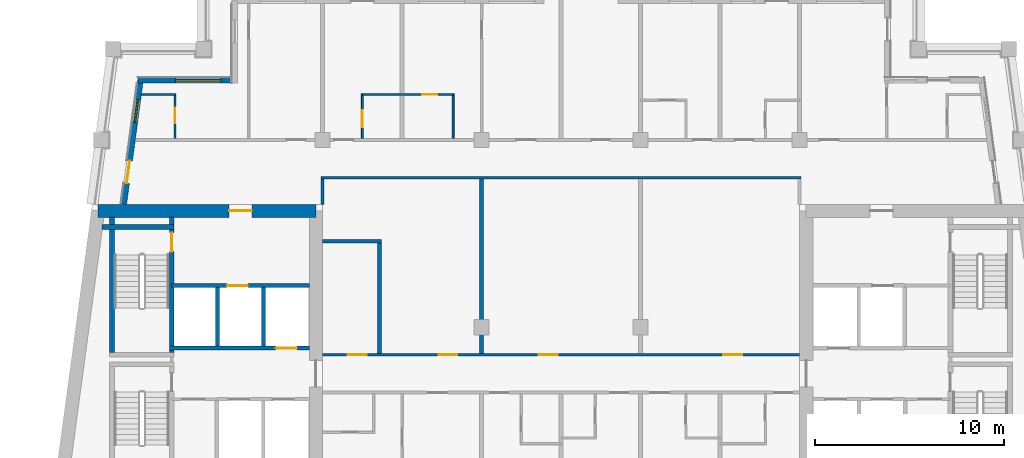
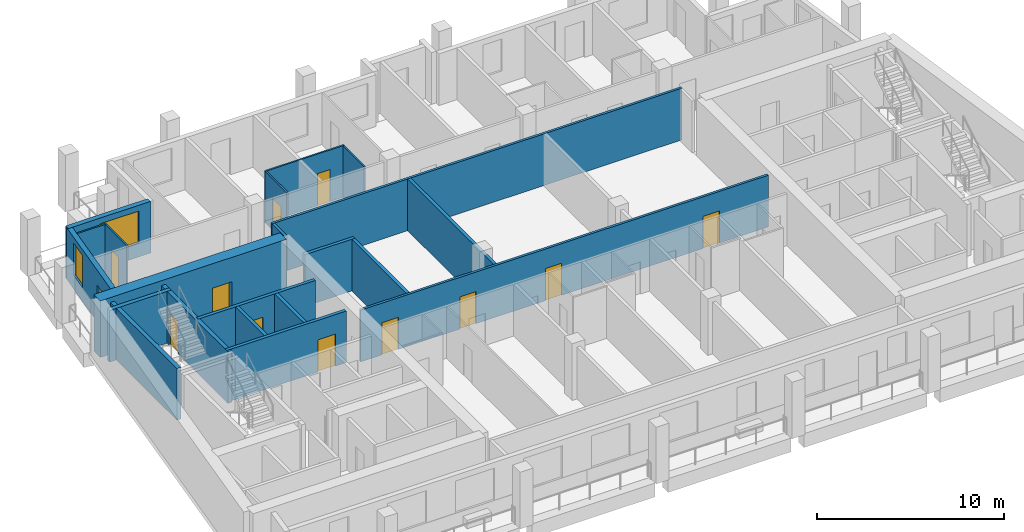
# One storey, part 4 of 13: 21 walls, 12 doors, 2 windows, 14 openings.
"""IFC4 building model written with IfcOpenShell, lengths in metres."""

from ifc_helpers import new_model, si_unit, direction, frame, frame_2d, origin, place, context, subcontext, project, spatial, rectangle, extrude, material, layer, layer_set, type_object, element, fill, save


model = new_model("IFC4")

# Units and contexts
model_context = context("Model", 3, precision=1e-05, world=origin(), true_north=direction((0.0, 1.0)))
body_context = subcontext(model_context, "Body", "Model", "MODEL_VIEW")
ifc_project = project(units=[si_unit("LENGTHUNIT", "METRE"), si_unit("AREAUNIT", "SQUARE_METRE"), si_unit("VOLUMEUNIT", "CUBIC_METRE"), si_unit("PLANEANGLEUNIT", "RADIAN"), si_unit("MASSUNIT", "GRAM", prefix="KILO")], contexts=[model_context])

# Site, building, storey
site_placement = place(None, origin())
site = spatial("IfcSite", under=ifc_project, at=site_placement, CompositionType="ELEMENT")
building_placement = place(site_placement, origin())
building = spatial("IfcBuilding", under=site, at=building_placement, Name="Candeia Pilgrim Tower and Theatre", CompositionType="ELEMENT")
storey_placement = place(building_placement, frame((0.0, 0.0, 270.10009765625)))
storey = spatial("IfcBuildingStorey", under=building, at=storey_placement, Name="L65", CompositionType="ELEMENT", Elevation=270.10009765625)

# Wall, opening, door
ifc_material_1 = material(Name="Concrete C40/50", Category="concrete")
ifc_layer_1 = layer(ifc_material_1, 0.699951171875)
ifc_layer_set_1 = layer_set([ifc_layer_1], Name="Core wall 700 C40/50")
wall_type_1 = type_object("IfcWallType", Name="Core wall 700 C40/50", PredefinedType="SHEAR", material=ifc_layer_set_1)
wall_1_placement = place(storey_placement, frame((88.936767578125, 132.050048828125, 0.0), z_axis=(0.0, 0.0, 1.0), x_axis=(1.0, 0.0, 0.0)))
wall_1 = element("IfcWall", 1, at=wall_1_placement, inside=storey, type_object=wall_type_1, Name="Core wall W1", PredefinedType="SHEAR", context=body_context, shape_type="SweptSolid", body=[
    extrude(rectangle(XDim=11.51318359375, YDim=0.699951171875, at=frame_2d((5.756591796875, 0.0))), origin(), (0.0, 0.0, 1.0), 3.699951171875),
])
opening_1_placement = place(wall_1_placement, frame((6.9267578125, 0.0, 0.0)))
opening_1 = element("IfcOpeningElement", 2, at=opening_1_placement, cuts=wall_1, Name="Opening L65-D050", PredefinedType="OPENING", context=body_context, shape_type="SweptSolid", body=[
    extrude(rectangle(XDim=1.199951171875, YDim=2.10009765625, at=frame_2d((0.60009765625, 1.050048828125))), frame((0.0, 0.35986328125, 0.0), z_axis=(0.0, -1.0, 0.0), x_axis=(1.0, 0.0, 0.0)), (0.0, 0.0, 1.0), 0.719970703125),
])
ifc_material_2 = material(Name="Steel fire door set", Category="steel")
door_type_1 = type_object("IfcDoorType", Name="D-1200-FD60", OperationType="NOTDEFINED", PredefinedType="DOOR", material=ifc_material_2)
door_1_placement = place(opening_1_placement, origin())
door_1 = element("IfcDoor", 3, at=door_1_placement, inside=storey, type_object=door_type_1, Name="Door L65-D050", OperationType="SINGLE_SWING_LEFT", OverallHeight=2.10009765625, OverallWidth=1.199951171875, PredefinedType="DOOR", context=body_context, shape_type="SweptSolid", body=[
    extrude(rectangle(XDim=1.199951171875, YDim=2.10009765625, at=frame_2d((0.60009765625, 1.050048828125))), frame((0.0, 0.02490234375, 0.0), z_axis=(0.0, -1.0, 0.0), x_axis=(1.0, 0.0, 0.0)), (0.0, 0.0, 1.0), 0.050048828125),
])
fill(opening_1, door_1)

# Wall, openings, door, window
ifc_material_3 = material(Name="Ceramic block masonry", Category="masonry")
ifc_layer_2 = layer(ifc_material_3, 0.300048828125)
ifc_layer_set_2 = layer_set([ifc_layer_2], Name="EW1 glazing-line wall 300")
wall_type_2 = type_object("IfcWallType", Name="EW1 glazing-line wall 300", PredefinedType="SOLIDWALL", material=ifc_layer_set_2)
wall_2_placement = place(storey_placement, frame((91.177490234375, 138.949951171875, 0.0), z_axis=(0.0, 0.0, 1.0), x_axis=(-0.133426664613, -0.991058689065, 0.0)))
wall_2 = element("IfcWall", 4, at=wall_2_placement, inside=storey, type_object=wall_type_2, Name="External wall L65-0.0", PredefinedType="SOLIDWALL", context=body_context, shape_type="SweptSolid", body=[
    extrude(rectangle(XDim=6.609130859375, YDim=0.300048828125, at=frame_2d((3.3046875, 0.0))), origin(), (0.0, 0.0, 1.0), 3.3798828125),
])
opening_2_placement = place(wall_2_placement, frame((1.039306640625, 0.0, 0.89990234375)))
opening_2 = element("IfcOpeningElement", 5, at=opening_2_placement, cuts=wall_2, Name="Opening W-B", PredefinedType="OPENING", context=body_context, shape_type="SweptSolid", body=[
    extrude(rectangle(XDim=1.199951171875, YDim=2.10009765625, at=frame_2d((0.60009765625, 1.050048828125))), frame((0.0, 0.16015625, 0.0), z_axis=(0.0, -1.0, 0.0), x_axis=(1.0, 0.0, 0.0)), (0.0, 0.0, 1.0), 0.320068359375),
])
opening_3_placement = place(wall_2_placement, frame((4.293701171875, 0.0, 0.0)))
opening_3 = element("IfcOpeningElement", 6, at=opening_3_placement, cuts=wall_2, Name="Opening L65-ED612", PredefinedType="OPENING", context=body_context, shape_type="SweptSolid", body=[
    extrude(rectangle(XDim=1.199951171875, YDim=2.39990234375, at=frame_2d((0.60009765625, 1.199951171875))), frame((0.0, 0.16015625, 0.0), z_axis=(0.0, -1.0, 0.0), x_axis=(1.0, 0.0, 0.0)), (0.0, 0.0, 1.0), 0.320068359375),
])
ifc_material_4 = material(Name="Aluminium framed glazed door", Category="aluminium")
door_type_2 = type_object("IfcDoorType", Name="Loggia door 1200x2400", OperationType="DOUBLE_DOOR_SINGLE_SWING", PredefinedType="DOOR", material=ifc_material_4)
door_2_placement = place(opening_3_placement, origin())
door_2 = element("IfcDoor", 7, at=door_2_placement, inside=storey, type_object=door_type_2, Name="Loggia door L65-ED612", OperationType="DOUBLE_DOOR_SINGLE_SWING", OverallHeight=2.39990234375, OverallWidth=1.199951171875, PredefinedType="DOOR", context=body_context, shape_type="SweptSolid", body=[
    extrude(rectangle(XDim=1.199951171875, YDim=2.39990234375, at=frame_2d((0.60009765625, 1.199951171875))), frame((0.0, 0.02490234375, 0.0), z_axis=(0.0, -1.0, 0.0), x_axis=(1.0, 0.0, 0.0)), (0.0, 0.0, 1.0), 0.050048828125),
])
fill(opening_3, door_2)
ifc_material_5 = material(Name="Aluminium framed double glazing", Category="aluminium")
window_type_1 = type_object("IfcWindowType", Name="W-B window 1200x2100", PartitioningType="SINGLE_PANEL", PredefinedType="WINDOW", material=ifc_material_5)
window_1_placement = place(opening_2_placement, origin())
window_1 = element("IfcWindow", 8, at=window_1_placement, inside=storey, type_object=window_type_1, Name="Window W-B L65", OverallHeight=2.10009765625, OverallWidth=1.199951171875, PartitioningType="SINGLE_PANEL", PredefinedType="WINDOW", context=body_context, shape_type="SweptSolid", body=[
    extrude(rectangle(XDim=1.199951171875, YDim=2.10009765625, at=frame_2d((0.60009765625, 1.050048828125))), frame((0.0, 0.030029296875, 0.0), z_axis=(0.0, -1.0, 0.0), x_axis=(1.0, 0.0, 0.0)), (0.0, 0.0, 1.0), 0.06005859375),
])
fill(opening_2, window_1)

# Wall, opening, window
wall_3_placement = place(storey_placement, frame((96.14990234375, 138.949951171875, 0.0), z_axis=(0.0, 0.0, 1.0), x_axis=(-1.0, 0.0, 0.0)))
wall_3 = element("IfcWall", 9, at=wall_3_placement, inside=storey, type_object=wall_type_2, Name="External wall L65-7.0", PredefinedType="SOLIDWALL", context=body_context, shape_type="SweptSolid", body=[
    extrude(rectangle(XDim=5.103759765625, YDim=0.300048828125, at=frame_2d((2.5517578125, 0.0))), origin(), (0.0, 0.0, 1.0), 3.3798828125),
])
opening_4_placement = place(wall_3_placement, frame((0.72509765625, 0.0, 0.89990234375)))
opening_4 = element("IfcOpeningElement", 10, at=opening_4_placement, cuts=wall_3, Name="Opening W-A", PredefinedType="OPENING", context=body_context, shape_type="SweptSolid", body=[
    extrude(rectangle(XDim=2.39990234375, YDim=2.10009765625, at=frame_2d((1.199951171875, 1.050048828125))), frame((0.0, 0.16015625, 0.0), z_axis=(0.0, -1.0, 0.0), x_axis=(1.0, 0.0, 0.0)), (0.0, 0.0, 1.0), 0.320068359375),
])
window_type_2 = type_object("IfcWindowType", Name="W-A window 2400x2100", PartitioningType="DOUBLE_PANEL_VERTICAL", PredefinedType="WINDOW", material=ifc_material_5)
window_2_placement = place(opening_4_placement, origin())
window_2 = element("IfcWindow", 11, at=window_2_placement, inside=storey, type_object=window_type_2, Name="Window W-A L65", OverallHeight=2.10009765625, OverallWidth=2.39990234375, PartitioningType="SINGLE_PANEL", PredefinedType="WINDOW", context=body_context, shape_type="SweptSolid", body=[
    extrude(rectangle(XDim=2.39990234375, YDim=2.10009765625, at=frame_2d((1.199951171875, 1.050048828125))), frame((0.0, 0.030029296875, 0.0), z_axis=(0.0, -1.0, 0.0), x_axis=(1.0, 0.0, 0.0)), (0.0, 0.0, 1.0), 0.06005859375),
])
fill(opening_4, window_2)

# Wall
ifc_material_6 = material(Name="Gypsum board partition on steel studs", Category="steel")
ifc_layer_3 = layer(ifc_material_6, 0.10009765625)
ifc_layer_set_3 = layer_set([ifc_layer_3], Name="PW-100 room partition")
wall_type_3 = type_object("IfcWallType", Name="PW-100 room partition", PredefinedType="PARTITIONING", material=ifc_layer_set_3)
wall_4_placement = place(storey_placement, frame((91.2177734375, 138.199951171875, 0.0), z_axis=(0.0, 0.0, 1.0), x_axis=(1.0, 0.0, 0.0)))
element("IfcWall", 12, at=wall_4_placement, inside=storey, type_object=wall_type_3, Name="Room partition L65-042", PredefinedType="PARTITIONING", context=body_context, shape_type="SweptSolid", body=[
    extrude(rectangle(XDim=1.832275390625, YDim=0.10009765625, at=frame_2d((0.916015625, 0.0))), origin(), (0.0, 0.0, 1.0), 3.3798828125),
])

# Wall, opening, door
wall_5_placement = place(storey_placement, frame((102.85009765625, 138.199951171875, 0.0), z_axis=(0.0, 0.0, 1.0), x_axis=(1.0, 0.0, 0.0)))
wall_5 = element("IfcWall", 13, at=wall_5_placement, inside=storey, type_object=wall_type_3, Name="Room partition L65-043", PredefinedType="PARTITIONING", context=body_context, shape_type="SweptSolid", body=[
    extrude(rectangle(XDim=4.89990234375, YDim=0.10009765625, at=frame_2d((2.449951171875, 0.0))), origin(), (0.0, 0.0, 1.0), 3.3798828125),
])
opening_5_placement = place(wall_5_placement, frame((3.219970703125, 0.0, 0.0)))
opening_5 = element("IfcOpeningElement", 14, at=opening_5_placement, cuts=wall_5, Name="Opening L65-D035", PredefinedType="OPENING", context=body_context, shape_type="SweptSolid", body=[
    extrude(rectangle(XDim=0.800048828125, YDim=2.10009765625, at=frame_2d((0.39990234375, 1.050048828125))), frame((0.0, 0.06005859375, 0.0), z_axis=(0.0, -1.0, 0.0), x_axis=(1.0, 0.0, 0.0)), (0.0, 0.0, 1.0), 0.1201171875),
])
ifc_material_7 = material(Name="Timber door leaf", Category="wood")
door_type_3 = type_object("IfcDoorType", Name="D-800", OperationType="NOTDEFINED", PredefinedType="DOOR", material=ifc_material_7)
door_3_placement = place(opening_5_placement, origin())
door_3 = element("IfcDoor", 15, at=door_3_placement, inside=storey, type_object=door_type_3, Name="Door L65-D035", OperationType="SINGLE_SWING_RIGHT", OverallHeight=2.10009765625, OverallWidth=0.800048828125, PredefinedType="DOOR", context=body_context, shape_type="SweptSolid", body=[
    extrude(rectangle(XDim=0.800048828125, YDim=2.10009765625, at=frame_2d((0.39990234375, 1.050048828125))), frame((0.0, 0.02490234375, 0.0), z_axis=(0.0, -1.0, 0.0), x_axis=(1.0, 0.0, 0.0)), (0.0, 0.0, 1.0), 0.050048828125),
])
fill(opening_5, door_3)

wall_6_placement = place(storey_placement, frame((93.0, 135.875, 0.0), z_axis=(0.0, 0.0, 1.0), x_axis=(0.0, 1.0, 0.0)))
wall_6 = element("IfcWall", 16, at=wall_6_placement, inside=storey, type_object=wall_type_3, Name="Room partition L65-054", PredefinedType="PARTITIONING", context=body_context, shape_type="SweptSolid", body=[
    extrude(rectangle(XDim=2.27490234375, YDim=0.10009765625, at=frame_2d((1.137451171875, 0.0))), origin(), (0.0, 0.0, 1.0), 3.3798828125),
])
opening_6_placement = place(wall_6_placement, frame((0.81494140625, 0.0, 0.0)))
opening_6 = element("IfcOpeningElement", 17, at=opening_6_placement, cuts=wall_6, Name="Opening L65-D030", PredefinedType="OPENING", context=body_context, shape_type="SweptSolid", body=[
    extrude(rectangle(XDim=0.800048828125, YDim=2.10009765625, at=frame_2d((0.39990234375, 1.050048828125))), frame((0.0, 0.06005859375, 0.0), z_axis=(0.0, -1.0, 0.0), x_axis=(1.0, 0.0, 0.0)), (0.0, 0.0, 1.0), 0.1201171875),
])
door_4_placement = place(opening_6_placement, origin())
door_4 = element("IfcDoor", 18, at=door_4_placement, inside=storey, type_object=door_type_3, Name="Door L65-D030", OperationType="SINGLE_SWING_LEFT", OverallHeight=2.10009765625, OverallWidth=0.800048828125, PredefinedType="DOOR", context=body_context, shape_type="SweptSolid", body=[
    extrude(rectangle(XDim=0.800048828125, YDim=2.10009765625, at=frame_2d((0.39990234375, 1.050048828125))), frame((0.0, 0.02490234375, 0.0), z_axis=(0.0, -1.0, 0.0), x_axis=(1.0, 0.0, 0.0)), (0.0, 0.0, 1.0), 0.050048828125),
])
fill(opening_6, door_4)

wall_7_placement = place(storey_placement, frame((102.89990234375, 135.875, 0.0), z_axis=(0.0, 0.0, 1.0), x_axis=(0.0, 1.0, 0.0)))
wall_7 = element("IfcWall", 19, at=wall_7_placement, inside=storey, type_object=wall_type_3, Name="Room partition L65-065", PredefinedType="PARTITIONING", context=body_context, shape_type="SweptSolid", body=[
    extrude(rectangle(XDim=2.27490234375, YDim=0.10009765625, at=frame_2d((1.137451171875, 0.0))), origin(), (0.0, 0.0, 1.0), 3.3798828125),
])
opening_7_placement = place(wall_7_placement, frame((0.594970703125, 0.0, 0.0)))
opening_7 = element("IfcOpeningElement", 20, at=opening_7_placement, cuts=wall_7, Name="Opening L65-D032", PredefinedType="OPENING", context=body_context, shape_type="SweptSolid", body=[
    extrude(rectangle(XDim=0.89990234375, YDim=2.10009765625, at=frame_2d((0.449951171875, 1.050048828125))), frame((0.0, 0.06005859375, 0.0), z_axis=(0.0, -1.0, 0.0), x_axis=(1.0, 0.0, 0.0)), (0.0, 0.0, 1.0), 0.1201171875),
])
door_type_4 = type_object("IfcDoorType", Name="D-900", OperationType="NOTDEFINED", PredefinedType="DOOR", material=ifc_material_7)
door_5_placement = place(opening_7_placement, origin())
door_5 = element("IfcDoor", 21, at=door_5_placement, inside=storey, type_object=door_type_4, Name="Door L65-D032", OperationType="SINGLE_SWING_LEFT", OverallHeight=2.10009765625, OverallWidth=0.89990234375, PredefinedType="DOOR", context=body_context, shape_type="SweptSolid", body=[
    extrude(rectangle(XDim=0.89990234375, YDim=2.10009765625, at=frame_2d((0.449951171875, 1.050048828125))), frame((0.0, 0.02490234375, 0.0), z_axis=(0.0, -1.0, 0.0), x_axis=(1.0, 0.0, 0.0)), (0.0, 0.0, 1.0), 0.050048828125),
])
fill(opening_7, door_5)

# Wall
wall_8_placement = place(storey_placement, frame((107.699951171875, 135.875, 0.0), z_axis=(0.0, 0.0, 1.0), x_axis=(0.0, 1.0, 0.0)))
element("IfcWall", 22, at=wall_8_placement, inside=storey, type_object=wall_type_3, Name="Room partition L65-070", PredefinedType="PARTITIONING", context=body_context, shape_type="SweptSolid", body=[
    extrude(rectangle(XDim=2.27490234375, YDim=0.10009765625, at=frame_2d((1.137451171875, 0.0))), origin(), (0.0, 0.0, 1.0), 3.3798828125),
])

# Wall, openings, doors
ifc_layer_4 = layer(ifc_material_6, 0.14990234375)
ifc_layer_set_4 = layer_set([ifc_layer_4], Name="PW-150 unit wall")
wall_type_4 = type_object("IfcWallType", Name="PW-150 unit wall", PredefinedType="PARTITIONING", material=ifc_layer_set_4)
wall_9_placement = place(storey_placement, frame((100.800048828125, 124.449951171875, 0.0), z_axis=(0.0, 0.0, 1.0), x_axis=(1.0, 0.0, 0.0)))
wall_9 = element("IfcWall", 23, at=wall_9_placement, inside=storey, type_object=wall_type_4, Name="Unit wall L65-028", PredefinedType="PARTITIONING", context=body_context, shape_type="SweptSolid", body=[
    extrude(rectangle(XDim=25.199951171875, YDim=0.14990234375, at=frame_2d((12.60009765625, 0.0))), origin(), (0.0, 0.0, 1.0), 3.3798828125),
])
opening_8_placement = place(wall_9_placement, frame((6.125, 0.0, 0.0)))
opening_8 = element("IfcOpeningElement", 24, at=opening_8_placement, cuts=wall_9, Name="Opening L65-D044", PredefinedType="OPENING", context=body_context, shape_type="SweptSolid", body=[
    extrude(rectangle(XDim=1.0, YDim=2.10009765625, at=frame_2d((0.5, 1.050048828125))), frame((0.0, 0.0849609375, 0.0), z_axis=(0.0, -1.0, 0.0), x_axis=(1.0, 0.0, 0.0)), (0.0, 0.0, 1.0), 0.169921875),
])
opening_9_placement = place(wall_9_placement, frame((1.324951171875, 0.0, 0.0)))
opening_9 = element("IfcOpeningElement", 25, at=opening_9_placement, cuts=wall_9, Name="Opening L65-D045", PredefinedType="OPENING", context=body_context, shape_type="SweptSolid", body=[
    extrude(rectangle(XDim=1.0, YDim=2.10009765625, at=frame_2d((0.5, 1.050048828125))), frame((0.0, 0.0849609375, 0.0), z_axis=(0.0, -1.0, 0.0), x_axis=(1.0, 0.0, 0.0)), (0.0, 0.0, 1.0), 0.169921875),
])
opening_10_placement = place(wall_9_placement, frame((11.429931640625, 0.0, 0.0)))
opening_10 = element("IfcOpeningElement", 26, at=opening_10_placement, cuts=wall_9, Name="Opening L65-D046", PredefinedType="OPENING", context=body_context, shape_type="SweptSolid", body=[
    extrude(rectangle(XDim=1.0, YDim=2.10009765625, at=frame_2d((0.5, 1.050048828125))), frame((0.0, 0.0849609375, 0.0), z_axis=(0.0, -1.0, 0.0), x_axis=(1.0, 0.0, 0.0)), (0.0, 0.0, 1.0), 0.169921875),
])
opening_11_placement = place(wall_9_placement, frame((21.169921875, 0.0, 0.0)))
opening_11 = element("IfcOpeningElement", 27, at=opening_11_placement, cuts=wall_9, Name="Opening L65-D047", PredefinedType="OPENING", context=body_context, shape_type="SweptSolid", body=[
    extrude(rectangle(XDim=1.0, YDim=2.10009765625, at=frame_2d((0.5, 1.050048828125))), frame((0.0, 0.0849609375, 0.0), z_axis=(0.0, -1.0, 0.0), x_axis=(1.0, 0.0, 0.0)), (0.0, 0.0, 1.0), 0.169921875),
])
door_type_5 = type_object("IfcDoorType", Name="D-1000-FD30S", OperationType="NOTDEFINED", PredefinedType="DOOR", material=ifc_material_2)
door_6_placement = place(opening_8_placement, origin())
door_6 = element("IfcDoor", 28, at=door_6_placement, inside=storey, type_object=door_type_5, Name="Door L65-D044", OperationType="SINGLE_SWING_LEFT", OverallHeight=2.10009765625, OverallWidth=1.0, PredefinedType="DOOR", context=body_context, shape_type="SweptSolid", body=[
    extrude(rectangle(XDim=1.0, YDim=2.10009765625, at=frame_2d((0.5, 1.050048828125))), frame((0.0, 0.02490234375, 0.0), z_axis=(0.0, -1.0, 0.0), x_axis=(1.0, 0.0, 0.0)), (0.0, 0.0, 1.0), 0.050048828125),
])
fill(opening_8, door_6)
door_7_placement = place(opening_9_placement, origin())
door_7 = element("IfcDoor", 29, at=door_7_placement, inside=storey, type_object=door_type_5, Name="Door L65-D045", OperationType="SINGLE_SWING_RIGHT", OverallHeight=2.10009765625, OverallWidth=1.0, PredefinedType="DOOR", context=body_context, shape_type="SweptSolid", body=[
    extrude(rectangle(XDim=1.0, YDim=2.10009765625, at=frame_2d((0.5, 1.050048828125))), frame((0.0, 0.02490234375, 0.0), z_axis=(0.0, -1.0, 0.0), x_axis=(1.0, 0.0, 0.0)), (0.0, 0.0, 1.0), 0.050048828125),
])
fill(opening_9, door_7)
door_8_placement = place(opening_10_placement, origin())
door_8 = element("IfcDoor", 30, at=door_8_placement, inside=storey, type_object=door_type_5, Name="Door L65-D046", OperationType="SINGLE_SWING_LEFT", OverallHeight=2.10009765625, OverallWidth=1.0, PredefinedType="DOOR", context=body_context, shape_type="SweptSolid", body=[
    extrude(rectangle(XDim=1.0, YDim=2.10009765625, at=frame_2d((0.5, 1.050048828125))), frame((0.0, 0.02490234375, 0.0), z_axis=(0.0, -1.0, 0.0), x_axis=(1.0, 0.0, 0.0)), (0.0, 0.0, 1.0), 0.050048828125),
])
fill(opening_10, door_8)
door_9_placement = place(opening_11_placement, origin())
door_9 = element("IfcDoor", 31, at=door_9_placement, inside=storey, type_object=door_type_5, Name="Door L65-D047", OperationType="SINGLE_SWING_RIGHT", OverallHeight=2.10009765625, OverallWidth=1.0, PredefinedType="DOOR", context=body_context, shape_type="SweptSolid", body=[
    extrude(rectangle(XDim=1.0, YDim=2.10009765625, at=frame_2d((0.5, 1.050048828125))), frame((0.0, 0.02490234375, 0.0), z_axis=(0.0, -1.0, 0.0), x_axis=(1.0, 0.0, 0.0)), (0.0, 0.0, 1.0), 0.050048828125),
])
fill(opening_11, door_9)

# Walls
wall_10_placement = place(storey_placement, frame((100.72509765625, 133.800048828125, 0.0), z_axis=(0.0, 0.0, 1.0), x_axis=(1.0, 0.0, 0.0)))
element("IfcWall", 32, at=wall_10_placement, inside=storey, type_object=wall_type_4, Name="Unit wall L65-038", PredefinedType="PARTITIONING", context=body_context, shape_type="SweptSolid", body=[
    extrude(rectangle(XDim=25.349853515625, YDim=0.14990234375, at=frame_2d((12.6748046875, 0.0))), origin(), (0.0, 0.0, 1.0), 3.3798828125),
])
wall_11_placement = place(storey_placement, frame((100.800048828125, 132.39990234375, 0.0), z_axis=(0.0, 0.0, 1.0), x_axis=(0.0, 1.0, 0.0)))
element("IfcWall", 33, at=wall_11_placement, inside=storey, type_object=wall_type_4, Name="Unit wall L65-064", PredefinedType="PARTITIONING", context=body_context, shape_type="SweptSolid", body=[
    extrude(rectangle(XDim=1.3251953125, YDim=0.14990234375, at=frame_2d((0.66259765625, 0.0))), origin(), (0.0, 0.0, 1.0), 3.3798828125),
])
ifc_layer_5 = layer(ifc_material_6, 0.199951171875)
ifc_layer_set_5 = layer_set([ifc_layer_5], Name="PW-200 party wall")
wall_type_5 = type_object("IfcWallType", Name="PW-200 party wall", PredefinedType="PARTITIONING", material=ifc_layer_set_5)
wall_12_placement = place(storey_placement, frame((100.800048828125, 130.449951171875, 0.0), z_axis=(0.0, 0.0, 1.0), x_axis=(1.0, 0.0, 0.0)))
element("IfcWall", 34, at=wall_12_placement, inside=storey, type_object=wall_type_5, Name="Party wall L65-035", PredefinedType="PARTITIONING", context=body_context, shape_type="SweptSolid", body=[
    extrude(rectangle(XDim=3.099853515625, YDim=0.199951171875, at=frame_2d((1.5498046875, 0.0))), origin(), (0.0, 0.0, 1.0), 3.3798828125),
])
wall_13_placement = place(storey_placement, frame((103.800048828125, 124.52490234375, 0.0), z_axis=(0.0, 0.0, 1.0), x_axis=(0.0, 1.0, 0.0)))
element("IfcWall", 35, at=wall_13_placement, inside=storey, type_object=wall_type_5, Name="Party wall L65-067", PredefinedType="PARTITIONING", context=body_context, shape_type="SweptSolid", body=[
    extrude(rectangle(XDim=5.8251953125, YDim=0.199951171875, at=frame_2d((2.91259765625, 0.0))), origin(), (0.0, 0.0, 1.0), 3.3798828125),
])
wall_14_placement = place(storey_placement, frame((109.199951171875, 124.52490234375, 0.0), z_axis=(0.0, 0.0, 1.0), x_axis=(0.0, 1.0, 0.0)))
element("IfcWall", 36, at=wall_14_placement, inside=storey, type_object=wall_type_5, Name="Party wall L65-073", PredefinedType="PARTITIONING", context=body_context, shape_type="SweptSolid", body=[
    extrude(rectangle(XDim=9.2001953125, YDim=0.199951171875, at=frame_2d((4.60009765625, 0.0))), origin(), (0.0, 0.0, 1.0), 3.3798828125),
])

# Wall, opening, door
ifc_layer_6 = layer(ifc_material_1, 0.199951171875)
ifc_layer_set_6 = layer_set([ifc_layer_6], Name="SW-200 shaft wall")
wall_type_6 = type_object("IfcWallType", Name="SW-200 shaft wall", PredefinedType="PARTITIONING", material=ifc_layer_set_6)
wall_15_placement = place(storey_placement, frame((92.701904296875, 124.800048828125, 0.0), z_axis=(0.0, 0.0, 1.0), x_axis=(1.0, 0.0, 0.0)))
wall_15 = element("IfcWall", 37, at=wall_15_placement, inside=storey, type_object=wall_type_6, Name="Shaft wall L65-029", PredefinedType="PARTITIONING", context=body_context, shape_type="SweptSolid", body=[
    extrude(rectangle(XDim=7.398193359375, YDim=0.199951171875, at=frame_2d((3.69921875, 0.0))), origin(), (0.0, 0.0, 1.0), 3.3798828125),
])
opening_12_placement = place(wall_15_placement, frame((5.635986328125, 0.0, 0.0)))
opening_12 = element("IfcOpeningElement", 38, at=opening_12_placement, cuts=wall_15, Name="Opening L65-LD04", PredefinedType="OPENING", context=body_context, shape_type="SweptSolid", body=[
    extrude(rectangle(XDim=1.10009765625, YDim=2.10009765625, at=frame_2d((0.550048828125, 1.050048828125))), frame((0.0, 0.10986328125, 0.0), z_axis=(0.0, -1.0, 0.0), x_axis=(1.0, 0.0, 0.0)), (0.0, 0.0, 1.0), 0.219970703125),
])
ifc_material_8 = material(Name="Glazed aluminium landing door", Category="aluminium")
door_type_6 = type_object("IfcDoorType", Name="LD-1100-EI120", OperationType="SLIDING_TO_LEFT", PredefinedType="DOOR", material=ifc_material_8)
door_10_placement = place(opening_12_placement, origin())
door_10 = element("IfcDoor", 39, at=door_10_placement, inside=storey, type_object=door_type_6, Name="Landing door 04 L65", OperationType="SLIDING_TO_LEFT", OverallHeight=2.10009765625, OverallWidth=1.10009765625, PredefinedType="DOOR", context=body_context, shape_type="SweptSolid", body=[
    extrude(rectangle(XDim=1.10009765625, YDim=2.10009765625, at=frame_2d((0.550048828125, 1.050048828125))), frame((0.0, 0.02490234375, 0.0), z_axis=(0.0, -1.0, 0.0), x_axis=(1.0, 0.0, 0.0)), (0.0, 0.0, 1.0), 0.050048828125),
])
fill(opening_12, door_10)

wall_16_placement = place(storey_placement, frame((92.826904296875, 128.10009765625, 0.0), z_axis=(0.0, 0.0, 1.0), x_axis=(1.0, 0.0, 0.0)))
wall_16 = element("IfcWall", 40, at=wall_16_placement, inside=storey, type_object=wall_type_6, Name="Shaft wall L65-032", PredefinedType="PARTITIONING", context=body_context, shape_type="SweptSolid", body=[
    extrude(rectangle(XDim=7.273193359375, YDim=0.199951171875, at=frame_2d((3.63671875, 0.0))), origin(), (0.0, 0.0, 1.0), 3.3798828125),
])
opening_13_placement = place(wall_16_placement, frame((2.929931640625, 0.0, 0.0)))
opening_13 = element("IfcOpeningElement", 41, at=opening_13_placement, cuts=wall_16, Name="Opening L65-LD03", PredefinedType="OPENING", context=body_context, shape_type="SweptSolid", body=[
    extrude(rectangle(XDim=1.10009765625, YDim=2.10009765625, at=frame_2d((0.550048828125, 1.050048828125))), frame((0.0, 0.10986328125, 0.0), z_axis=(0.0, -1.0, 0.0), x_axis=(1.0, 0.0, 0.0)), (0.0, 0.0, 1.0), 0.219970703125),
])
door_11_placement = place(opening_13_placement, origin())
door_11 = element("IfcDoor", 42, at=door_11_placement, inside=storey, type_object=door_type_6, Name="Landing door 03 L65", OperationType="SLIDING_TO_LEFT", OverallHeight=2.10009765625, OverallWidth=1.10009765625, PredefinedType="DOOR", context=body_context, shape_type="SweptSolid", body=[
    extrude(rectangle(XDim=1.10009765625, YDim=2.10009765625, at=frame_2d((0.550048828125, 1.050048828125))), frame((0.0, 0.02490234375, 0.0), z_axis=(0.0, -1.0, 0.0), x_axis=(1.0, 0.0, 0.0)), (0.0, 0.0, 1.0), 0.050048828125),
])
fill(opening_13, door_11)

# Walls
for number, where, z_axis, x_axis, name in (
    (43, (95.251220703125, 124.89990234375, 0.0), (0.0, 0.0, 1.0), (0.0, 1.0, 0.0), "Shaft wall L65-057"),
    (44, (97.67578125, 124.89990234375, 0.0), (0.0, 0.0, 1.0), (0.0, 1.0, 0.0), "Shaft wall L65-061"),
):
    element("IfcWall", number, at=place(storey_placement, frame(where, z_axis=z_axis, x_axis=x_axis)), inside=storey, type_object=wall_type_6, Name=name, PredefinedType="PARTITIONING", context=body_context, shape_type="SweptSolid", body=[
        extrude(rectangle(XDim=3.10009765625, YDim=0.199951171875, at=frame_2d((1.550048828125, 0.0))), origin(), (0.0, 0.0, 1.0), 3.3798828125),
    ])
ifc_layer_7 = layer(ifc_material_1, 0.25)
ifc_layer_set_7 = layer_set([ifc_layer_7], Name="SW-250 stair wall")
wall_type_7 = type_object("IfcWallType", Name="SW-250 stair wall", PredefinedType="PARTITIONING", material=ifc_layer_set_7)
wall_17_placement = place(storey_placement, frame((89.1455078125, 131.199951171875, 0.0), z_axis=(0.0, 0.0, 1.0), x_axis=(1.0, 0.0, 0.0)))
element("IfcWall", 45, at=wall_17_placement, inside=storey, type_object=wall_type_7, Name="Stair wall L65-036", PredefinedType="PARTITIONING", context=body_context, shape_type="SweptSolid", body=[
    extrude(rectangle(XDim=3.806396484375, YDim=0.25, at=frame_2d((1.9033203125, 0.0))), origin(), (0.0, 0.0, 1.0), 3.3798828125),
])
wall_18_placement = place(storey_placement, frame((89.677001953125, 124.574951171875, 0.0), z_axis=(0.0, 0.0, 1.0), x_axis=(0.0, 1.0, 0.0)))
element("IfcWall", 46, at=wall_18_placement, inside=storey, type_object=wall_type_7, Name="Stair wall L65-048", PredefinedType="PARTITIONING", context=body_context, shape_type="SweptSolid", body=[
    extrude(rectangle(XDim=7.155029296875, YDim=0.25, at=frame_2d((3.57763671875, 0.0))), origin(), (0.0, 0.0, 1.0), 3.3798828125),
])

# Wall, opening, door
wall_19_placement = place(storey_placement, frame((92.826904296875, 124.574951171875, 0.0), z_axis=(0.0, 0.0, 1.0), x_axis=(0.0, 1.0, 0.0)))
wall_19 = element("IfcWall", 47, at=wall_19_placement, inside=storey, type_object=wall_type_7, Name="Stair wall L65-053", PredefinedType="PARTITIONING", context=body_context, shape_type="SweptSolid", body=[
    extrude(rectangle(XDim=7.155029296875, YDim=0.25, at=frame_2d((3.57763671875, 0.0))), origin(), (0.0, 0.0, 1.0), 3.3798828125),
])
opening_14_placement = place(wall_19_placement, frame((5.324951171875, 0.0, 0.0)))
opening_14 = element("IfcOpeningElement", 48, at=opening_14_placement, cuts=wall_19, Name="Opening L65-D003", PredefinedType="OPENING", context=body_context, shape_type="SweptSolid", body=[
    extrude(rectangle(XDim=1.0, YDim=2.10009765625, at=frame_2d((0.5, 1.050048828125))), frame((0.0, 0.135009765625, 0.0), z_axis=(0.0, -1.0, 0.0), x_axis=(1.0, 0.0, 0.0)), (0.0, 0.0, 1.0), 0.27001953125),
])
door_type_7 = type_object("IfcDoorType", Name="D-1000-FD60", OperationType="NOTDEFINED", PredefinedType="DOOR", material=ifc_material_2)
door_12_placement = place(opening_14_placement, origin())
door_12 = element("IfcDoor", 49, at=door_12_placement, inside=storey, type_object=door_type_7, Name="Door L65-D003", OperationType="SINGLE_SWING_RIGHT", OverallHeight=2.10009765625, OverallWidth=1.0, PredefinedType="DOOR", context=body_context, shape_type="SweptSolid", body=[
    extrude(rectangle(XDim=1.0, YDim=2.10009765625, at=frame_2d((0.5, 1.050048828125))), frame((0.0, 0.02490234375, 0.0), z_axis=(0.0, -1.0, 0.0), x_axis=(1.0, 0.0, 0.0)), (0.0, 0.0, 1.0), 0.050048828125),
])
fill(opening_14, door_12)

save(model, "model.ifc")
